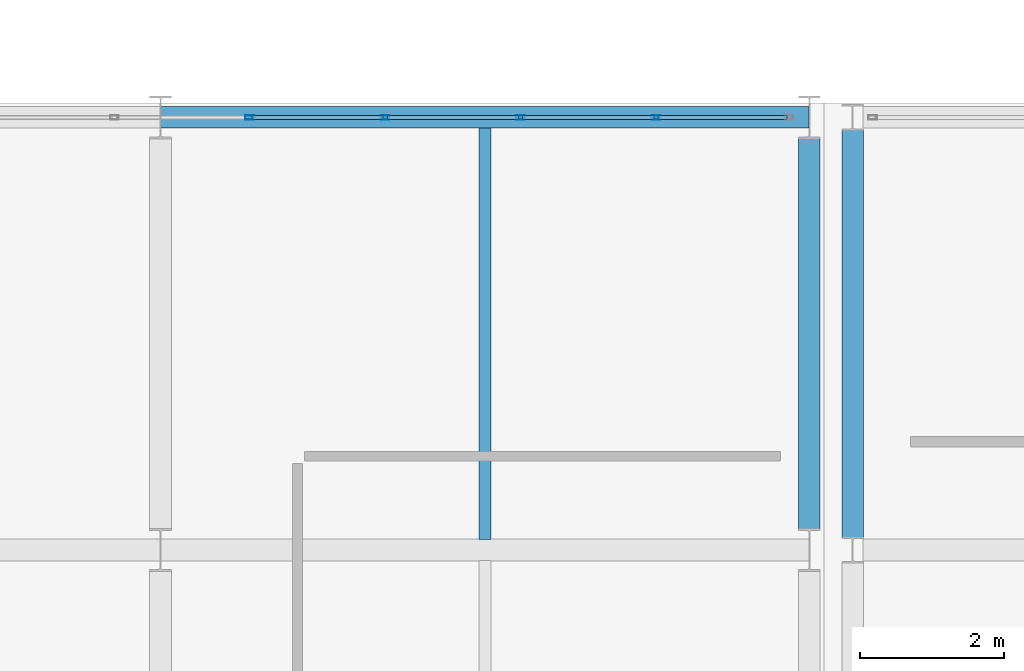
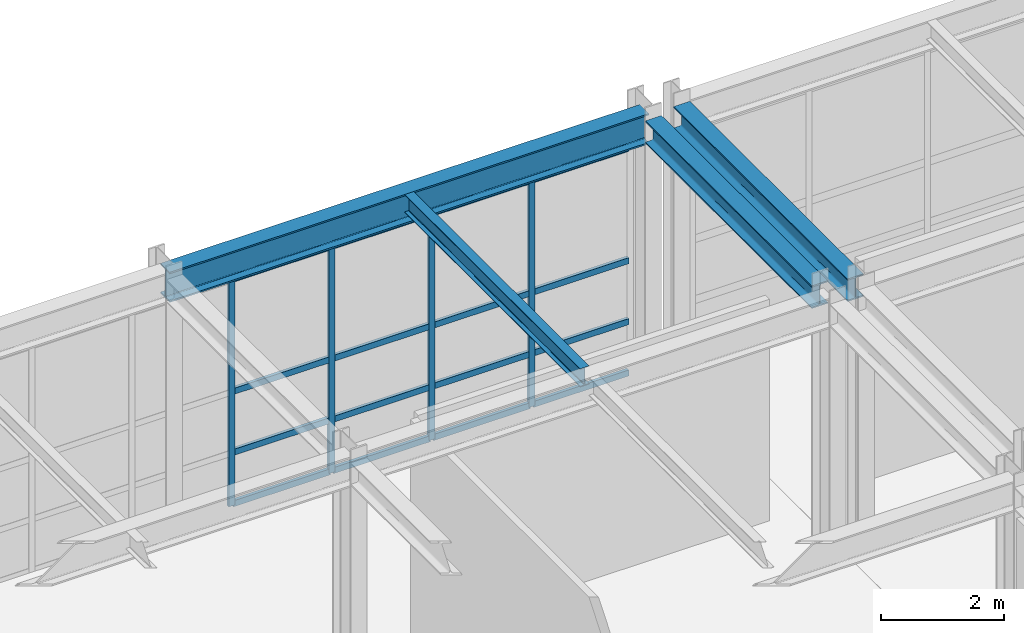
# One storey, part 126 of 210: 20 members, 4 beams, 1 element without a shape of its own.
"""IFC4 building model written with IfcOpenShell, lengths in metres."""

from ifc_helpers import new_model, si_unit, direction, frame, origin, origin_2d, place, context, subcontext, project, spatial, hollow_rectangle, i_section, extrude, material, material_profile, profile_set, type_object, element, aggregate, save


model = new_model("IFC4")

# Units and contexts
model_context = context("Model", 3, precision=1e-05, world=origin(), true_north=direction((0.0, 1.0)))
body_context = subcontext(model_context, "Body", "Model", "MODEL_VIEW")
ifc_project = project(units=[si_unit("LENGTHUNIT", "METRE"), si_unit("AREAUNIT", "SQUARE_METRE"), si_unit("VOLUMEUNIT", "CUBIC_METRE"), si_unit("PLANEANGLEUNIT", "RADIAN"), si_unit("MASSUNIT", "GRAM", prefix="KILO")], contexts=[model_context])

# Site, building, storey
site_placement = place(None, origin())
site = spatial("IfcSite", under=ifc_project, at=site_placement, CompositionType="ELEMENT")
building_placement = place(site_placement, origin())
building = spatial("IfcBuilding", under=site, at=building_placement, Name="Kaldris Quays Convention Centre", CompositionType="ELEMENT")
storey_placement = place(building_placement, frame((0.0, 0.0, 6.0)))
storey = spatial("IfcBuildingStorey", under=building, at=storey_placement, Name="L01", CompositionType="ELEMENT", Elevation=6.0)

# Curtain wall, members
ifc_material_1 = material(Name="Anodized aluminium AW-6060 and triple glazing", Category="aluminium")
curtain_wall_type = type_object("IfcCurtainWallType", Name="UNITISED CURTAIN WALL CW05", PredefinedType="NOTDEFINED", material=ifc_material_1)
curtain_wall_placement = place(storey_placement, origin())
curtain_wall = element("IfcCurtainWall", 1, at=curtain_wall_placement, inside=storey, type_object=curtain_wall_type, Name="L01 Unitised Curtain Wall CW05 140", PredefinedType="NOTDEFINED")
ifc_material_2 = material(Name="Anodized aluminium AW-6060", Category="aluminium")
ifc_material_profile_1 = material_profile(ifc_material_2, hollow_rectangle(XDim=0.06005859375, YDim=0.1201171875, WallThickness=0.00390625, at=origin_2d()), Name="RHS 120x60x4")
ifc_profile_set_1 = profile_set([ifc_material_profile_1], Name="Anodized aluminium AW-6060")
member_type_1 = type_object("IfcMemberType", Name="CURTAIN MULLION CWM3", PredefinedType="MULLION", material=ifc_profile_set_1)
member_1_placement = place(storey_placement, frame((156.23876953125, 116.0, 0.0), z_axis=(0.0, 0.0, 1.0), x_axis=(0.0, 1.0, 0.0)))
member_1 = element("IfcMember", 2, at=member_1_placement, type_object=member_type_1, Name="CW05 mullion 6", PredefinedType="MULLION", context=body_context, shape_type="SweptSolid", body=[
    extrude(hollow_rectangle(XDim=0.06005859375, YDim=0.1201171875, WallThickness=0.00390625, at=origin_2d()), origin(), (0.0, 0.0, 1.0), 4.51806640625),
])
member_2_placement = place(storey_placement, frame((158.11669921875, 116.0, 0.0), z_axis=(0.0, 0.0, 1.0), x_axis=(0.0, 1.0, 0.0)))
member_2 = element("IfcMember", 3, at=member_2_placement, type_object=member_type_1, Name="CW05 mullion 7", PredefinedType="MULLION", context=body_context, shape_type="SweptSolid", body=[
    extrude(hollow_rectangle(XDim=0.06005859375, YDim=0.1201171875, WallThickness=0.00390625, at=origin_2d()), origin(), (0.0, 0.0, 1.0), 4.51806640625),
])
member_3_placement = place(storey_placement, frame((159.994384765625, 116.0, 0.0), z_axis=(0.0, 0.0, 1.0), x_axis=(0.0, 1.0, 0.0)))
member_3 = element("IfcMember", 4, at=member_3_placement, type_object=member_type_1, Name="CW05 mullion 8", PredefinedType="MULLION", context=body_context, shape_type="SweptSolid", body=[
    extrude(hollow_rectangle(XDim=0.06005859375, YDim=0.1201171875, WallThickness=0.00390625, at=origin_2d()), origin(), (0.0, 0.0, 1.0), 4.51806640625),
])
member_4_placement = place(storey_placement, frame((161.872314453125, 116.0, 0.0), z_axis=(0.0, 0.0, 1.0), x_axis=(0.0, 1.0, 0.0)))
member_4 = element("IfcMember", 5, at=member_4_placement, type_object=member_type_1, Name="CW05 mullion 9", PredefinedType="MULLION", context=body_context, shape_type="SweptSolid", body=[
    extrude(hollow_rectangle(XDim=0.06005859375, YDim=0.1201171875, WallThickness=0.00390625, at=origin_2d()), origin(), (0.0, 0.0, 1.0), 4.51806640625),
])
ifc_material_profile_2 = material_profile(ifc_material_2, hollow_rectangle(XDim=0.06005859375, YDim=0.1201171875, WallThickness=0.00390625, at=origin_2d()), Name="RHS 120x60x4")
ifc_profile_set_2 = profile_set([ifc_material_profile_2], Name="Anodized aluminium AW-6060")
member_type_2 = type_object("IfcMemberType", Name="CURTAIN TRANSOM CWT1", PredefinedType="USERDEFINED", material=ifc_profile_set_2)
member_5_placement = place(storey_placement, frame((156.268798828125, 116.0, 0.030029296875), z_axis=(1.0, 0.0, 0.0), x_axis=(0.0, 1.0, 0.0)))
member_5 = element("IfcMember", 6, at=member_5_placement, type_object=member_type_2, Name="CW05 transom 6.1", ObjectType="TRANSOM", PredefinedType="USERDEFINED", context=body_context, shape_type="SweptSolid", body=[
    extrude(hollow_rectangle(XDim=0.06005859375, YDim=0.1201171875, WallThickness=0.00390625, at=origin_2d()), origin(), (0.0, 0.0, 1.0), 1.81787109375),
])
member_6_placement = place(storey_placement, frame((156.268798828125, 116.0, 1.050048828125), z_axis=(1.0, 0.0, 0.0), x_axis=(0.0, 1.0, 0.0)))
member_6 = element("IfcMember", 7, at=member_6_placement, type_object=member_type_2, Name="CW05 transom 6.2", ObjectType="TRANSOM", PredefinedType="USERDEFINED", context=body_context, shape_type="SweptSolid", body=[
    extrude(hollow_rectangle(XDim=0.06005859375, YDim=0.1201171875, WallThickness=0.00390625, at=origin_2d()), origin(), (0.0, 0.0, 1.0), 1.81787109375),
])
member_7_placement = place(storey_placement, frame((156.268798828125, 116.0, 2.259033203125), z_axis=(1.0, 0.0, 0.0), x_axis=(0.0, 1.0, 0.0)))
member_7 = element("IfcMember", 8, at=member_7_placement, type_object=member_type_2, Name="CW05 transom 6.3", ObjectType="TRANSOM", PredefinedType="USERDEFINED", context=body_context, shape_type="SweptSolid", body=[
    extrude(hollow_rectangle(XDim=0.06005859375, YDim=0.1201171875, WallThickness=0.00390625, at=origin_2d()), origin(), (0.0, 0.0, 1.0), 1.81787109375),
])
member_8_placement = place(storey_placement, frame((156.268798828125, 116.0, 4.488037109375), z_axis=(1.0, 0.0, 0.0), x_axis=(0.0, 1.0, 0.0)))
member_8 = element("IfcMember", 9, at=member_8_placement, type_object=member_type_2, Name="CW05 transom 6.4", ObjectType="TRANSOM", PredefinedType="USERDEFINED", context=body_context, shape_type="SweptSolid", body=[
    extrude(hollow_rectangle(XDim=0.06005859375, YDim=0.1201171875, WallThickness=0.00390625, at=origin_2d()), origin(), (0.0, 0.0, 1.0), 1.81787109375),
])
member_9_placement = place(storey_placement, frame((158.146728515625, 116.0, 0.030029296875), z_axis=(1.0, 0.0, 0.0), x_axis=(0.0, 1.0, 0.0)))
member_9 = element("IfcMember", 10, at=member_9_placement, type_object=member_type_2, Name="CW05 transom 7.1", ObjectType="TRANSOM", PredefinedType="USERDEFINED", context=body_context, shape_type="SweptSolid", body=[
    extrude(hollow_rectangle(XDim=0.06005859375, YDim=0.1201171875, WallThickness=0.00390625, at=origin_2d()), origin(), (0.0, 0.0, 1.0), 1.817626953125),
])
member_10_placement = place(storey_placement, frame((158.146728515625, 116.0, 1.050048828125), z_axis=(1.0, 0.0, 0.0), x_axis=(0.0, 1.0, 0.0)))
member_10 = element("IfcMember", 11, at=member_10_placement, type_object=member_type_2, Name="CW05 transom 7.2", ObjectType="TRANSOM", PredefinedType="USERDEFINED", context=body_context, shape_type="SweptSolid", body=[
    extrude(hollow_rectangle(XDim=0.06005859375, YDim=0.1201171875, WallThickness=0.00390625, at=origin_2d()), origin(), (0.0, 0.0, 1.0), 1.817626953125),
])
member_11_placement = place(storey_placement, frame((158.146728515625, 116.0, 2.259033203125), z_axis=(1.0, 0.0, 0.0), x_axis=(0.0, 1.0, 0.0)))
member_11 = element("IfcMember", 12, at=member_11_placement, type_object=member_type_2, Name="CW05 transom 7.3", ObjectType="TRANSOM", PredefinedType="USERDEFINED", context=body_context, shape_type="SweptSolid", body=[
    extrude(hollow_rectangle(XDim=0.06005859375, YDim=0.1201171875, WallThickness=0.00390625, at=origin_2d()), origin(), (0.0, 0.0, 1.0), 1.817626953125),
])
member_12_placement = place(storey_placement, frame((158.146728515625, 116.0, 4.488037109375), z_axis=(1.0, 0.0, 0.0), x_axis=(0.0, 1.0, 0.0)))
member_12 = element("IfcMember", 13, at=member_12_placement, type_object=member_type_2, Name="CW05 transom 7.4", ObjectType="TRANSOM", PredefinedType="USERDEFINED", context=body_context, shape_type="SweptSolid", body=[
    extrude(hollow_rectangle(XDim=0.06005859375, YDim=0.1201171875, WallThickness=0.00390625, at=origin_2d()), origin(), (0.0, 0.0, 1.0), 1.817626953125),
])
member_13_placement = place(storey_placement, frame((160.0244140625, 116.0, 0.030029296875), z_axis=(1.0, 0.0, 0.0), x_axis=(0.0, 1.0, 0.0)))
member_13 = element("IfcMember", 14, at=member_13_placement, type_object=member_type_2, Name="CW05 transom 8.1", ObjectType="TRANSOM", PredefinedType="USERDEFINED", context=body_context, shape_type="SweptSolid", body=[
    extrude(hollow_rectangle(XDim=0.06005859375, YDim=0.1201171875, WallThickness=0.00390625, at=origin_2d()), origin(), (0.0, 0.0, 1.0), 1.81787109375),
])
member_14_placement = place(storey_placement, frame((160.0244140625, 116.0, 1.050048828125), z_axis=(1.0, 0.0, 0.0), x_axis=(0.0, 1.0, 0.0)))
member_14 = element("IfcMember", 15, at=member_14_placement, type_object=member_type_2, Name="CW05 transom 8.2", ObjectType="TRANSOM", PredefinedType="USERDEFINED", context=body_context, shape_type="SweptSolid", body=[
    extrude(hollow_rectangle(XDim=0.06005859375, YDim=0.1201171875, WallThickness=0.00390625, at=origin_2d()), origin(), (0.0, 0.0, 1.0), 1.81787109375),
])
member_15_placement = place(storey_placement, frame((160.0244140625, 116.0, 2.259033203125), z_axis=(1.0, 0.0, 0.0), x_axis=(0.0, 1.0, 0.0)))
member_15 = element("IfcMember", 16, at=member_15_placement, type_object=member_type_2, Name="CW05 transom 8.3", ObjectType="TRANSOM", PredefinedType="USERDEFINED", context=body_context, shape_type="SweptSolid", body=[
    extrude(hollow_rectangle(XDim=0.06005859375, YDim=0.1201171875, WallThickness=0.00390625, at=origin_2d()), origin(), (0.0, 0.0, 1.0), 1.81787109375),
])
member_16_placement = place(storey_placement, frame((160.0244140625, 116.0, 4.488037109375), z_axis=(1.0, 0.0, 0.0), x_axis=(0.0, 1.0, 0.0)))
member_16 = element("IfcMember", 17, at=member_16_placement, type_object=member_type_2, Name="CW05 transom 8.4", ObjectType="TRANSOM", PredefinedType="USERDEFINED", context=body_context, shape_type="SweptSolid", body=[
    extrude(hollow_rectangle(XDim=0.06005859375, YDim=0.1201171875, WallThickness=0.00390625, at=origin_2d()), origin(), (0.0, 0.0, 1.0), 1.81787109375),
])
member_17_placement = place(storey_placement, frame((161.90234375, 116.0, 0.030029296875), z_axis=(1.0, 0.0, 0.0), x_axis=(0.0, 1.0, 0.0)))
member_17 = element("IfcMember", 18, at=member_17_placement, type_object=member_type_2, Name="CW05 transom 9.1", ObjectType="TRANSOM", PredefinedType="USERDEFINED", context=body_context, shape_type="SweptSolid", body=[
    extrude(hollow_rectangle(XDim=0.06005859375, YDim=0.1201171875, WallThickness=0.00390625, at=origin_2d()), origin(), (0.0, 0.0, 1.0), 1.78759765625),
])
member_18_placement = place(storey_placement, frame((161.90234375, 116.0, 1.050048828125), z_axis=(1.0, 0.0, 0.0), x_axis=(0.0, 1.0, 0.0)))
member_18 = element("IfcMember", 19, at=member_18_placement, type_object=member_type_2, Name="CW05 transom 9.2", ObjectType="TRANSOM", PredefinedType="USERDEFINED", context=body_context, shape_type="SweptSolid", body=[
    extrude(hollow_rectangle(XDim=0.06005859375, YDim=0.1201171875, WallThickness=0.00390625, at=origin_2d()), origin(), (0.0, 0.0, 1.0), 1.78759765625),
])
member_19_placement = place(storey_placement, frame((161.90234375, 116.0, 2.259033203125), z_axis=(1.0, 0.0, 0.0), x_axis=(0.0, 1.0, 0.0)))
member_19 = element("IfcMember", 20, at=member_19_placement, type_object=member_type_2, Name="CW05 transom 9.3", ObjectType="TRANSOM", PredefinedType="USERDEFINED", context=body_context, shape_type="SweptSolid", body=[
    extrude(hollow_rectangle(XDim=0.06005859375, YDim=0.1201171875, WallThickness=0.00390625, at=origin_2d()), origin(), (0.0, 0.0, 1.0), 1.78759765625),
])
member_20_placement = place(storey_placement, frame((161.90234375, 116.0, 4.488037109375), z_axis=(1.0, 0.0, 0.0), x_axis=(0.0, 1.0, 0.0)))
member_20 = element("IfcMember", 21, at=member_20_placement, type_object=member_type_2, Name="CW05 transom 9.4", ObjectType="TRANSOM", PredefinedType="USERDEFINED", context=body_context, shape_type="SweptSolid", body=[
    extrude(hollow_rectangle(XDim=0.06005859375, YDim=0.1201171875, WallThickness=0.00390625, at=origin_2d()), origin(), (0.0, 0.0, 1.0), 1.78759765625),
])
aggregate(curtain_wall, [member_1, member_2, member_3, member_4, member_5, member_6, member_7, member_8, member_9, member_10, member_11, member_12, member_13, member_14, member_15, member_16, member_17, member_18, member_19, member_20])

# Beams
ifc_material_3 = material(Name="Steel S355J2", Category="steel")
ifc_material_profile_3 = material_profile(ifc_material_3, i_section(OverallWidth=0.300048828125, OverallDepth=0.60009765625, WebThickness=0.015380859375, FlangeThickness=0.030029296875, FilletRadius=0.027099609375, at=origin_2d()), Name="HEB 600")
ifc_profile_set_3 = profile_set([ifc_material_profile_3], Name="Steel S355J2")
beam_type_1 = type_object("IfcBeamType", Name="STRUCTURAL BEAM BM05", PredefinedType="BEAM", material=ifc_profile_set_3)
beam_1_placement = place(storey_placement, frame((155.001708984375, 116.0, 4.843017578125), z_axis=(1.0, 0.0, 0.0), x_axis=(0.0, 1.0, 0.0)))
element("IfcBeam", 22, at=beam_1_placement, inside=storey, type_object=beam_type_1, Name="L01 Girder BM05 52", PredefinedType="BEAM", context=body_context, shape_type="SweptSolid", body=[
    extrude(i_section(OverallWidth=0.300048828125, OverallDepth=0.60009765625, WebThickness=0.015380859375, FlangeThickness=0.030029296875, FilletRadius=0.027099609375, at=origin_2d()), origin(), (0.0, 0.0, 1.0), 8.99658203125),
])
ifc_material_profile_4 = material_profile(ifc_material_3, i_section(OverallWidth=0.300048828125, OverallDepth=0.449951171875, WebThickness=0.013916015625, FlangeThickness=0.02587890625, FilletRadius=0.027099609375, at=origin_2d()), Name="HEB 450")
ifc_profile_set_4 = profile_set([ifc_material_profile_4], Name="Steel S355J2")
beam_type_2 = type_object("IfcBeamType", Name="STRUCTURAL BEAM BM07", PredefinedType="BEAM", material=ifc_profile_set_4)
beam_2_placement = place(storey_placement, frame((164.0, 110.2939453125, 4.91796875), z_axis=(0.0, 1.0, 0.0), x_axis=(-1.0, 0.0, 0.0)))
element("IfcBeam", 23, at=beam_2_placement, inside=storey, type_object=beam_type_2, Name="L01 Girder BM07 101", PredefinedType="BEAM", context=body_context, shape_type="SweptSolid", body=[
    extrude(i_section(OverallWidth=0.300048828125, OverallDepth=0.449951171875, WebThickness=0.013916015625, FlangeThickness=0.02587890625, FilletRadius=0.027099609375, at=origin_2d()), origin(), (0.0, 0.0, 1.0), 5.412109375),
])
beam_3_placement = place(storey_placement, frame((164.60009765625, 110.174072265625, 4.91796875), z_axis=(0.0, 1.0, 0.0), x_axis=(-1.0, 0.0, 0.0)))
element("IfcBeam", 24, at=beam_3_placement, inside=storey, type_object=beam_type_2, Name="L01 Girder BM07 103", PredefinedType="BEAM", context=body_context, shape_type="SweptSolid", body=[
    extrude(i_section(OverallWidth=0.300048828125, OverallDepth=0.449951171875, WebThickness=0.013916015625, FlangeThickness=0.02587890625, FilletRadius=0.027099609375, at=origin_2d()), origin(), (0.0, 0.0, 1.0), 5.65185546875),
])
ifc_material_profile_5 = material_profile(ifc_material_3, i_section(OverallWidth=0.169921875, OverallDepth=0.360107421875, WebThickness=0.008056640625, FlangeThickness=0.0126953125, FilletRadius=0.01806640625, at=origin_2d()), Name="IPE 360")
ifc_profile_set_5 = profile_set([ifc_material_profile_5], Name="Steel S355J2")
beam_type_3 = type_object("IfcBeamType", Name="STRUCTURAL BEAM JT03", PredefinedType="JOIST", material=ifc_profile_set_5)
beam_4_placement = place(storey_placement, frame((159.5, 110.14404296875, 4.962890625), z_axis=(0.0, 1.0, 0.0), x_axis=(-1.0, 0.0, 0.0)))
element("IfcBeam", 25, at=beam_4_placement, inside=storey, type_object=beam_type_3, Name="L01 Secondary Joist JT03 32", PredefinedType="JOIST", context=body_context, shape_type="SweptSolid", body=[
    extrude(i_section(OverallWidth=0.169921875, OverallDepth=0.360107421875, WebThickness=0.008056640625, FlangeThickness=0.0126953125, FilletRadius=0.01806640625, at=origin_2d()), origin(), (0.0, 0.0, 1.0), 5.7119140625),
])

save(model, "model.ifc")
